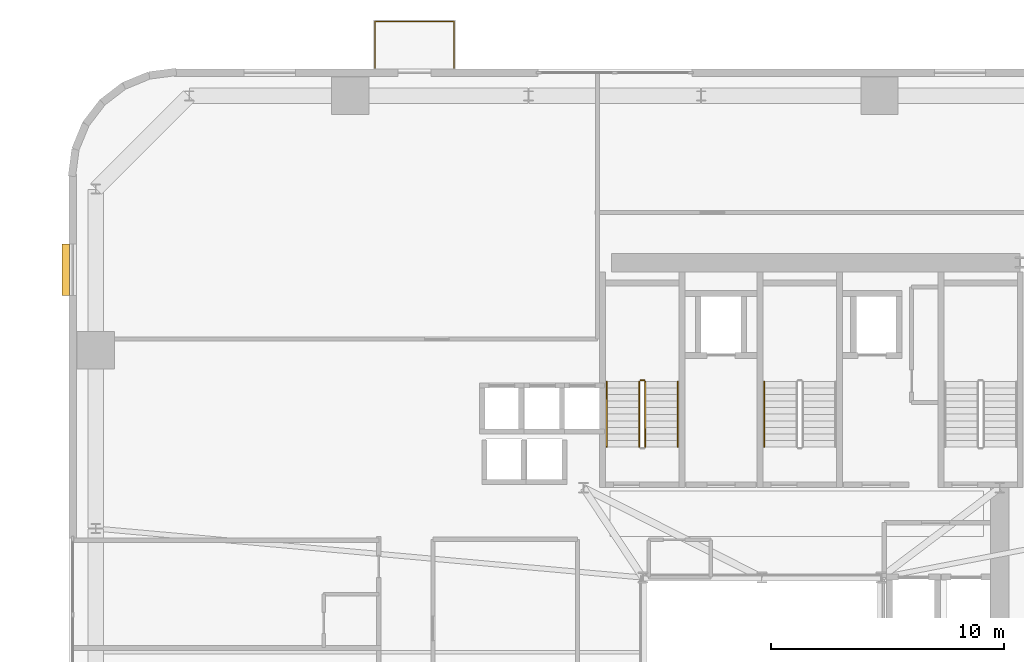
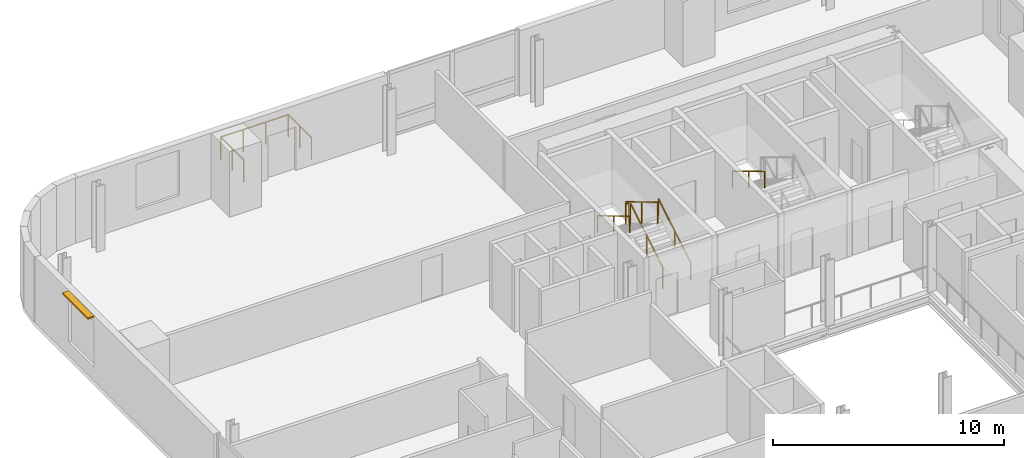
# One storey, part 13 of 14: 7 railings, 1 shading device.
"""IFC4 building model written with IfcOpenShell, lengths in metres."""

from ifc_helpers import new_model, si_unit, direction, frame, origin, origin_2d, place, context, subcontext, project, spatial, rectangle, extrude, source, transform, mapped, material, layer, layer_set, type_object, element, save


model = new_model("IFC4")

# Units and contexts
model_context = context("Model", 3, precision=1e-05, world=origin(), true_north=direction((0.0, 1.0)))
body_context = subcontext(model_context, "Body", "Model", "MODEL_VIEW")
ifc_project = project(units=[si_unit("LENGTHUNIT", "METRE"), si_unit("AREAUNIT", "SQUARE_METRE"), si_unit("VOLUMEUNIT", "CUBIC_METRE"), si_unit("PLANEANGLEUNIT", "RADIAN"), si_unit("MASSUNIT", "GRAM", prefix="KILO")], contexts=[model_context])

# Site, building, storey
site_placement = place(None, origin())
site = spatial("IfcSite", under=ifc_project, at=site_placement, CompositionType="ELEMENT")
building_placement = place(site_placement, origin())
building = spatial("IfcBuilding", under=site, at=building_placement, Name="Vardaveli Station Tower", CompositionType="ELEMENT")
storey_placement = place(building_placement, frame((0.0, 0.0, 144.60009765625)))
storey = spatial("IfcBuildingStorey", under=building, at=storey_placement, Name="L37", CompositionType="ELEMENT", Elevation=144.60009765625)

# Railing
ifc_material_1 = material(Name="Laminated glass and stainless steel balustrade", Category="steel")
railing_type_1 = type_object("IfcRailingType", Name="RL-BAL-1200", PredefinedType="BALUSTRADE", material=ifc_material_1)
shared_shape_1 = source(origin(), body_context, "Body", "SweptSolid", [
    extrude(rectangle(XDim=0.048095703125, YDim=0.048095703125, at=origin_2d()), frame((0.0, 0.0, 1.17578125), z_axis=(0.0, 1.0, 0.0), x_axis=(-1.0, 0.0, 0.0)), (0.0, 0.0, 1.0), 2.0),
    extrude(rectangle(XDim=0.048095703125, YDim=0.048095703125, at=origin_2d()), frame((0.0, 2.0, 1.17578125), z_axis=(1.0, 0.0, 0.0), x_axis=(0.0, 1.0, 0.0)), (0.0, 0.0, 1.0), 3.3798828125),
    extrude(rectangle(XDim=0.048095703125, YDim=0.048095703125, at=origin_2d()), frame((3.3798828125, 2.0, 1.17578125), z_axis=(0.0, -1.0, 0.0), x_axis=(1.0, 0.0, 0.0)), (0.0, 0.0, 1.0), 2.0),
    extrude(rectangle(XDim=0.0419921875, YDim=0.0419921875, at=origin_2d()), origin(), (0.0, 0.0, 1.0), 1.15185546875),
    extrude(rectangle(XDim=0.0419921875, YDim=0.0419921875, at=origin_2d()), frame((0.0, 1.0, 0.0)), (0.0, 0.0, 1.0), 1.15185546875),
    extrude(rectangle(XDim=0.0419921875, YDim=0.0419921875, at=origin_2d()), frame((0.0, 2.0, 0.0)), (0.0, 0.0, 1.0), 1.15185546875),
    extrude(rectangle(XDim=0.0419921875, YDim=0.0419921875, at=origin_2d()), frame((1.126708984375, 2.0, 0.0)), (0.0, 0.0, 1.0), 1.15185546875),
    extrude(rectangle(XDim=0.0419921875, YDim=0.0419921875, at=origin_2d()), frame((2.253173828125, 2.0, 0.0)), (0.0, 0.0, 1.0), 1.15185546875),
    extrude(rectangle(XDim=0.0419921875, YDim=0.0419921875, at=origin_2d()), frame((3.3798828125, 2.0, 0.0)), (0.0, 0.0, 1.0), 1.15185546875),
    extrude(rectangle(XDim=0.0419921875, YDim=0.0419921875, at=origin_2d()), frame((3.3798828125, 1.0, 0.0)), (0.0, 0.0, 1.0), 1.15185546875),
    extrude(rectangle(XDim=0.0419921875, YDim=0.0419921875, at=origin_2d()), frame((3.3798828125, 0.0, 0.0)), (0.0, 0.0, 1.0), 1.15185546875),
])
railing_1_placement = place(storey_placement, frame((19.720458984375, 48.639892578125, 0.0)))
element("IfcRailing", 1, at=railing_1_placement, inside=storey, type_object=railing_type_1, Name="RL-LOG-L37-02", PredefinedType="BALUSTRADE", context=body_context, shape_type="MappedRepresentation", body=[
    mapped(shared_shape_1, transform((0.0, 0.0, 0.0), scale=1.0)),
])

# Shading device
ifc_material_2 = material(Name="Anodised champagne aluminium sunshade", Category="aluminium")
ifc_layer = layer(ifc_material_2, 0.090087890625, Name="Anodised champagne aluminium sunshade")
ifc_layer_set = layer_set([ifc_layer], Name="Anodised champagne aluminium sunshade")
shading_device_type = type_object("IfcShadingDeviceType", Name="SHD-SUNSHADE", PredefinedType="USERDEFINED", material=ifc_layer_set)
shared_shape_2 = source(origin(), body_context, "Body", "SweptSolid", [
    extrude(rectangle(XDim=2.199951171875, YDim=0.320068359375, at=origin_2d()), origin(), (0.0, 0.0, 1.0), 0.090087890625),
])
shading_device_placement = place(storey_placement, frame((6.455078125, 39.9951171875, 3.33984375), z_axis=(0.0, 0.0, 1.0), x_axis=(0.0, 1.0, 0.0)))
element("IfcShadingDevice", 2, at=shading_device_placement, inside=storey, type_object=shading_device_type, Name="SHD-SS-L37-W", ObjectType="SUNSHADE", PredefinedType="USERDEFINED", context=body_context, shape_type="MappedRepresentation", body=[
    mapped(shared_shape_2, transform((0.0, 0.0, 0.0), scale=1.0)),
])

# Railings
ifc_material_3 = material(Name="Brushed AISI 316 stainless steel", Category="steel")
railing_type_2 = type_object("IfcRailingType", Name="RL-GUARD-1150", PredefinedType="GUARDRAIL", material=ifc_material_3)
shared_shape_3 = source(origin(), body_context, "Body", "SweptSolid", [
    extrude(rectangle(XDim=0.048095703125, YDim=0.048095703125, at=origin_2d()), frame((0.0, 0.0, 1.1259765625), z_axis=(-1.0, 0.0, 0.0), x_axis=(0.0, -1.0, 0.0)), (0.0, 0.0, 1.0), 0.14990234375),
    extrude(rectangle(XDim=0.0419921875, YDim=0.0419921875, at=origin_2d()), origin(), (0.0, 0.0, 1.0), 1.101806640625),
    extrude(rectangle(XDim=0.0419921875, YDim=0.0419921875, at=origin_2d()), frame((-0.14990234375, 0.0, 0.0)), (0.0, 0.0, 1.0), 1.101806640625),
])
railing_2_placement = place(storey_placement, frame((31.25, 35.25, 1.849853515625)))
element("IfcRailing", 3, at=railing_2_placement, inside=storey, type_object=railing_type_2, Name="L37 ST-1 stair guard 2", PredefinedType="GUARDRAIL", context=body_context, shape_type="MappedRepresentation", body=[
    mapped(shared_shape_3, transform((0.0, 0.0, 0.0), scale=1.0)),
])
shared_shape_4 = source(origin(), body_context, "Body", "SweptSolid", [
    extrude(rectangle(XDim=0.048095703125, YDim=0.048095703125, at=origin_2d()), frame((0.0, 0.0, 1.1259765625), z_axis=(0.0, -0.857242210791, 0.514913383045), x_axis=(1.0, 0.0, 0.0)), (0.0, 0.0, 1.0), 3.266357421875),
    extrude(rectangle(XDim=0.0419921875, YDim=0.0419921875, at=origin_2d()), origin(), (0.0, 0.0, 1.0), 1.101806640625),
    extrude(rectangle(XDim=0.0419921875, YDim=0.0419921875, at=origin_2d()), frame((0.0, -1.39990234375, 0.8408203125)), (0.0, 0.0, 1.0), 1.101806640625),
    extrude(rectangle(XDim=0.0419921875, YDim=0.0419921875, at=origin_2d()), frame((0.0, -2.800048828125, 1.681884765625)), (0.0, 0.0, 1.0), 1.101806640625),
])
railing_3_placement = place(storey_placement, frame((31.050048828125, 35.199951171875, 2.01806640625)))
element("IfcRailing", 4, at=railing_3_placement, inside=storey, type_object=railing_type_2, Name="L37 ST-1 stair guard 3", PredefinedType="GUARDRAIL", context=body_context, shape_type="MappedRepresentation", body=[
    mapped(shared_shape_4, transform((0.0, 0.0, 0.0), scale=1.0)),
])
railing_type_3 = type_object("IfcRailingType", Name="RL-HAND-900", PredefinedType="HANDRAIL", material=ifc_material_3)
shared_shape_5 = source(origin(), body_context, "Body", "SweptSolid", [
    extrude(rectangle(XDim=0.048095703125, YDim=0.048095703125, at=origin_2d()), frame((0.0, 0.0, 0.8759765625), z_axis=(0.0, -0.857242210791, 0.514913383045), x_axis=(1.0, 0.0, 0.0)), (0.0, 0.0, 1.0), 3.266357421875),
    extrude(rectangle(XDim=0.0419921875, YDim=0.0419921875, at=origin_2d()), origin(), (0.0, 0.0, 1.0), 0.851806640625),
    extrude(rectangle(XDim=0.0419921875, YDim=0.0419921875, at=origin_2d()), frame((0.0, -1.39990234375, 0.8408203125)), (0.0, 0.0, 1.0), 0.851806640625),
    extrude(rectangle(XDim=0.0419921875, YDim=0.0419921875, at=origin_2d()), frame((0.0, -2.800048828125, 1.681884765625)), (0.0, 0.0, 1.0), 0.851806640625),
])
for number, where, name in (
    (5, (29.64990234375, 35.199951171875, 2.01806640625), "L37 ST-1 stair handrail 2"),
    (6, (36.39990234375, 35.199951171875, 2.01806640625), "L37 ST-2 stair handrail 2"),
):
    element("IfcRailing", number, at=place(storey_placement, frame(where)), inside=storey, type_object=railing_type_3, Name=name, PredefinedType="HANDRAIL", context=body_context, shape_type="MappedRepresentation", body=[
        mapped(shared_shape_5, transform((0.0, 0.0, 0.0), scale=1.0)),
    ])
shared_shape_6 = source(origin(), body_context, "Body", "SweptSolid", [
    extrude(rectangle(XDim=0.048095703125, YDim=0.048095703125, at=origin_2d()), frame((0.0, 0.0, 1.1259765625), z_axis=(0.0, 0.857242210791, 0.514913383045), x_axis=(-1.0, 0.0, 0.0)), (0.0, 0.0, 1.0), 3.266357421875),
    extrude(rectangle(XDim=0.0419921875, YDim=0.0419921875, at=origin_2d()), origin(), (0.0, 0.0, 1.0), 1.101806640625),
    extrude(rectangle(XDim=0.0419921875, YDim=0.0419921875, at=origin_2d()), frame((0.0, 1.39990234375, 0.8408203125)), (0.0, 0.0, 1.0), 1.101806640625),
    extrude(rectangle(XDim=0.0419921875, YDim=0.0419921875, at=origin_2d()), frame((0.0, 2.800048828125, 1.681884765625)), (0.0, 0.0, 1.0), 1.101806640625),
])
railing_4_placement = place(storey_placement, frame((31.300048828125, 32.39990234375, 0.16796875)))
element("IfcRailing", 7, at=railing_4_placement, inside=storey, type_object=railing_type_2, Name="L37 ST-1 stair guard 1", PredefinedType="GUARDRAIL", context=body_context, shape_type="MappedRepresentation", body=[
    mapped(shared_shape_6, transform((0.0, 0.0, 0.0), scale=1.0)),
])
shared_shape_7 = source(origin(), body_context, "Body", "SweptSolid", [
    extrude(rectangle(XDim=0.048095703125, YDim=0.048095703125, at=origin_2d()), frame((0.0, 0.0, 0.8759765625), z_axis=(0.0, 0.857242210791, 0.514913383045), x_axis=(-1.0, 0.0, 0.0)), (0.0, 0.0, 1.0), 3.266357421875),
    extrude(rectangle(XDim=0.0419921875, YDim=0.0419921875, at=origin_2d()), origin(), (0.0, 0.0, 1.0), 0.851806640625),
    extrude(rectangle(XDim=0.0419921875, YDim=0.0419921875, at=origin_2d()), frame((0.0, 1.39990234375, 0.8408203125)), (0.0, 0.0, 1.0), 0.851806640625),
    extrude(rectangle(XDim=0.0419921875, YDim=0.0419921875, at=origin_2d()), frame((0.0, 2.800048828125, 1.681884765625)), (0.0, 0.0, 1.0), 0.851806640625),
])
railing_5_placement = place(storey_placement, frame((32.699951171875, 32.39990234375, 0.16796875)))
element("IfcRailing", 8, at=railing_5_placement, inside=storey, type_object=railing_type_3, Name="L37 ST-1 stair handrail 1", PredefinedType="HANDRAIL", context=body_context, shape_type="MappedRepresentation", body=[
    mapped(shared_shape_7, transform((0.0, 0.0, 0.0), scale=1.0)),
])

save(model, "model.ifc")
